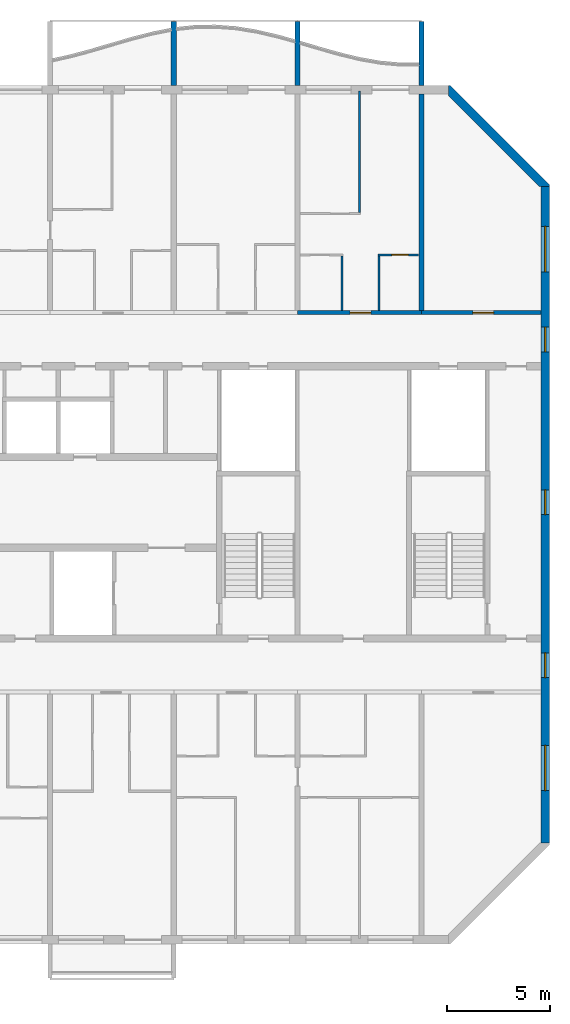
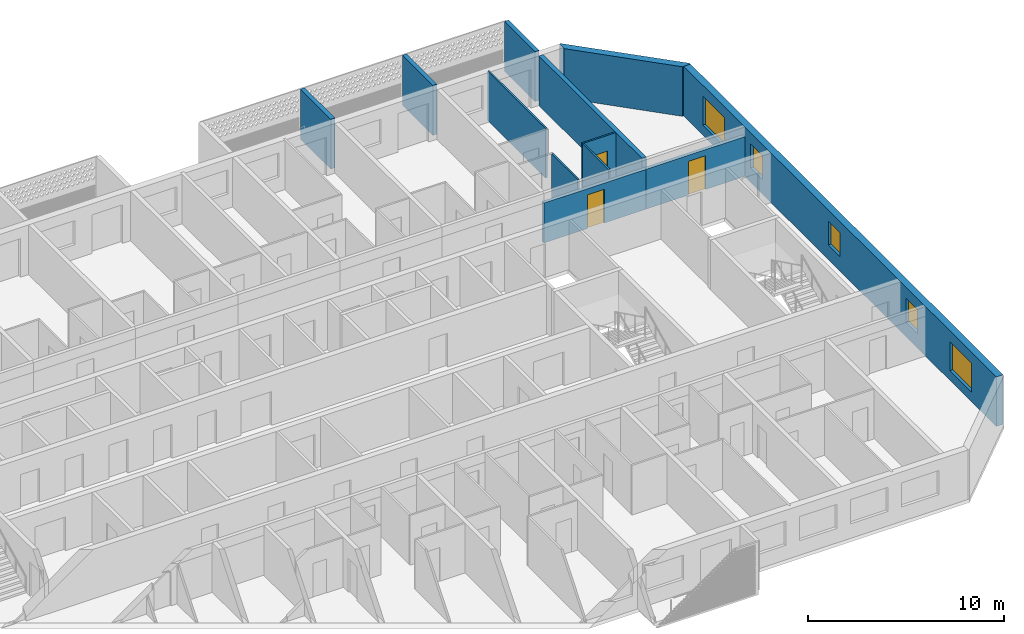
# One storey, part 11 of 29: 12 walls, 5 windows, 3 doors, 8 openings.
"""IFC4 building model written with IfcOpenShell, lengths in metres."""

from ifc_helpers import new_model, si_unit, direction, frame, frame_2d, origin, place, context, subcontext, project, spatial, polyline, rectangle, outline, extrude, source, transform, mapped, material, layer, layer_set, type_object, element, fill, save


model = new_model("IFC4")

# Units and contexts
model_context = context("Model", 3, precision=1e-05, world=origin(), true_north=direction((0.0, 1.0)))
body_context = subcontext(model_context, "Body", "Model", "MODEL_VIEW")
ifc_project = project(units=[si_unit("LENGTHUNIT", "METRE"), si_unit("AREAUNIT", "SQUARE_METRE"), si_unit("VOLUMEUNIT", "CUBIC_METRE"), si_unit("PLANEANGLEUNIT", "RADIAN"), si_unit("MASSUNIT", "GRAM", prefix="KILO")], contexts=[model_context])

# Site, building, storey
site_placement = place(None, origin())
site = spatial("IfcSite", under=ifc_project, at=site_placement, CompositionType="ELEMENT")
building_placement = place(site_placement, origin())
building = spatial("IfcBuilding", under=site, at=building_placement, Name="Poui Terraces", CompositionType="ELEMENT")
storey_placement = place(building_placement, frame((0.0, 0.0, 234.60009765625)))
storey = spatial("IfcBuildingStorey", under=building, at=storey_placement, Name="L65", CompositionType="ELEMENT", Elevation=234.60009765625)

# Wall, opening, door
ifc_material_1 = material(Name="Concrete 50 MPa", Category="concrete")
ifc_layer_1 = layer(ifc_material_1, 0.199951171875)
ifc_layer_set_1 = layer_set([ifc_layer_1], Name="Concrete 50 MPa")
wall_type_1 = type_object("IfcWallType", Name="CORRIDOR WALL 200 50MPa", PredefinedType="SHEAR", material=ifc_layer_set_1)
wall_1_placement = place(storey_placement, frame((72.0, 30.39990234375, 0.0), z_axis=(0.0, 0.0, 1.0), x_axis=(1.0, 0.0, 0.0)))
wall_1 = element("IfcWall", 1, at=wall_1_placement, inside=storey, type_object=wall_type_1, Name="CORRIDOR WALL LINE E BAY 10", PredefinedType="SHEAR", context=body_context, shape_type="SweptSolid", body=[
    extrude(rectangle(XDim=6.0, YDim=0.199951171875, at=frame_2d((3.0, 0.0))), origin(), (0.0, 0.0, 1.0), 2.47998046875),
])
opening_1_placement = place(wall_1_placement, frame((2.550048828125, 0.0, 0.0)))
opening_1 = element("IfcOpeningElement", 2, at=opening_1_placement, cuts=wall_1, Name="Opening FD30S", PredefinedType="OPENING", context=body_context, shape_type="SweptSolid", body=[
    extrude(rectangle(XDim=1.0, YDim=2.10009765625, at=frame_2d((0.5, 1.050048828125))), frame((0.0, 0.10986328125, 0.0), z_axis=(0.0, -1.0, 0.0), x_axis=(1.0, 0.0, 0.0)), (0.0, 0.0, 1.0), 0.219970703125),
])
ifc_material_2 = material(Name="Steel fire door", Category="steel")
door_type_1 = type_object("IfcDoorType", Name="FLAT ENTRANCE DOOR 1000 X 2100", OperationType="NOTDEFINED", PredefinedType="DOOR", material=ifc_material_2)
door_1_placement = place(opening_1_placement, origin())
door_1 = element("IfcDoor", 3, at=door_1_placement, inside=storey, type_object=door_type_1, Name="FLAT ENTRANCE DOOR 060", OperationType="SINGLE_SWING_RIGHT", OverallHeight=2.10009765625, OverallWidth=1.0, PredefinedType="DOOR", context=body_context, shape_type="SweptSolid", body=[
    extrude(rectangle(XDim=1.0, YDim=2.10009765625, at=frame_2d((0.5, 1.050048828125))), frame((0.0, 0.02490234375, 0.0), z_axis=(0.0, -1.0, 0.0), x_axis=(1.0, 0.0, 0.0)), (0.0, 0.0, 1.0), 0.050048828125),
])
fill(opening_1, door_1)

wall_2_placement = place(storey_placement, frame((78.0, 30.39990234375, 0.0), z_axis=(0.0, 0.0, 1.0), x_axis=(1.0, 0.0, 0.0)))
wall_2 = element("IfcWall", 4, at=wall_2_placement, inside=storey, type_object=wall_type_1, Name="CORRIDOR WALL LINE E BAY 11", PredefinedType="SHEAR", context=body_context, shape_type="SweptSolid", body=[
    extrude(rectangle(XDim=5.800048828125, YDim=0.199951171875, at=frame_2d((2.89990234375, 0.0))), origin(), (0.0, 0.0, 1.0), 2.47998046875),
])
opening_2_placement = place(wall_2_placement, frame((2.5, 0.0, 0.0)))
opening_2 = element("IfcOpeningElement", 5, at=opening_2_placement, cuts=wall_2, Name="Opening D100", PredefinedType="OPENING", context=body_context, shape_type="SweptSolid", body=[
    extrude(rectangle(XDim=1.0, YDim=2.10009765625, at=frame_2d((0.5, 1.050048828125))), frame((0.0, 0.10986328125, 0.0), z_axis=(0.0, -1.0, 0.0), x_axis=(1.0, 0.0, 0.0)), (0.0, 0.0, 1.0), 0.219970703125),
])
ifc_material_3 = material(Name="Solid core timber door", Category="wood")
door_type_2 = type_object("IfcDoorType", Name="ACCESSIBLE INTERNAL DOOR 1000 X 2100", OperationType="NOTDEFINED", PredefinedType="DOOR", material=ifc_material_3)
door_2_placement = place(opening_2_placement, origin())
door_2 = element("IfcDoor", 6, at=door_2_placement, inside=storey, type_object=door_type_2, Name="ACCESSIBLE INTERNAL DOOR 062", OperationType="SINGLE_SWING_LEFT", OverallHeight=2.10009765625, OverallWidth=1.0, PredefinedType="DOOR", context=body_context, shape_type="SweptSolid", body=[
    extrude(rectangle(XDim=1.0, YDim=2.10009765625, at=frame_2d((0.5, 1.050048828125))), frame((0.0, 0.02490234375, 0.0), z_axis=(0.0, -1.0, 0.0), x_axis=(1.0, 0.0, 0.0)), (0.0, 0.0, 1.0), 0.050048828125),
])
fill(opening_2, door_2)

# Wall
ifc_layer_2 = layer(ifc_material_1, 0.25)
ifc_layer_set_2 = layer_set([ifc_layer_2], Name="Concrete 50 MPa")
wall_type_2 = type_object("IfcWallType", Name="CROSS WALL 250 50MPa", PredefinedType="SHEAR", material=ifc_layer_set_2)
wall_3_placement = place(storey_placement, frame((78.0, 30.5, 0.0), z_axis=(0.0, 0.0, 1.0), x_axis=(0.0, 1.0, 0.0)))
element("IfcWall", 7, at=wall_3_placement, inside=storey, type_object=wall_type_2, Name="CROSS WALL LINE 14 NORTH", PredefinedType="SHEAR", context=body_context, shape_type="SweptSolid", body=[
    extrude(rectangle(XDim=10.5, YDim=0.25, at=frame_2d((5.25, 0.0))), origin(), (0.0, 0.0, 1.0), 3.079833984375),
])

# Wall, openings, windows
ifc_layer_3 = layer(ifc_material_1, 0.39990234375)
ifc_layer_set_3 = layer_set([ifc_layer_3], Name="Concrete 50 MPa")
wall_type_3 = type_object("IfcWallType", Name="END WALL 400 50MPa", PredefinedType="SHEAR", material=ifc_layer_set_3)
wall_4_placement = place(storey_placement, frame((84.0, 4.682861328125, 0.0), z_axis=(0.0, 0.0, 1.0), x_axis=(0.0, 1.0, 0.0)))
wall_4 = element("IfcWall", 8, at=wall_4_placement, inside=storey, type_object=wall_type_3, Name="END WALL EAST", PredefinedType="SHEAR", context=body_context, shape_type="SweptSolid", body=[
    extrude(rectangle(XDim=31.834228515625, YDim=0.39990234375, at=frame_2d((15.9169921875, 0.0))), origin(), (0.0, 0.0, 1.0), 3.079833984375),
])
opening_3_placement = place(wall_4_placement, frame((23.817138671875, 0.0, 0.89990234375)))
opening_3 = element("IfcOpeningElement", 9, at=opening_3_placement, cuts=wall_4, Name="Opening W2", PredefinedType="OPENING", context=body_context, shape_type="SweptSolid", body=[
    extrude(rectangle(XDim=1.199951171875, YDim=1.5, at=frame_2d((0.60009765625, 0.75))), frame((0.0, 0.2099609375, 0.0), z_axis=(0.0, -1.0, 0.0), x_axis=(1.0, 0.0, 0.0)), (0.0, 0.0, 1.0), 0.419921875),
])
opening_4_placement = place(wall_4_placement, frame((8.01708984375, 0.0, 0.89990234375)))
opening_4 = element("IfcOpeningElement", 10, at=opening_4_placement, cuts=wall_4, Name="Opening W2", PredefinedType="OPENING", context=body_context, shape_type="SweptSolid", body=[
    extrude(rectangle(XDim=1.199951171875, YDim=1.5, at=frame_2d((0.60009765625, 0.75))), frame((0.0, 0.2099609375, 0.0), z_axis=(0.0, -1.0, 0.0), x_axis=(1.0, 0.0, 0.0)), (0.0, 0.0, 1.0), 0.419921875),
])
opening_5_placement = place(wall_4_placement, frame((27.693603515625, 0.0, 0.60009765625)))
opening_5 = element("IfcOpeningElement", 11, at=opening_5_placement, cuts=wall_4, Name="Opening W3", PredefinedType="OPENING", context=body_context, shape_type="SweptSolid", body=[
    extrude(rectangle(XDim=2.199951171875, YDim=1.800048828125, at=frame_2d((1.10009765625, 0.89990234375))), frame((0.0, 0.2099609375, 0.0), z_axis=(0.0, -1.0, 0.0), x_axis=(1.0, 0.0, 0.0)), (0.0, 0.0, 1.0), 0.419921875),
])
opening_6_placement = place(wall_4_placement, frame((2.541015625, 0.0, 0.60009765625)))
opening_6 = element("IfcOpeningElement", 12, at=opening_6_placement, cuts=wall_4, Name="Opening W3", PredefinedType="OPENING", context=body_context, shape_type="SweptSolid", body=[
    extrude(rectangle(XDim=2.199951171875, YDim=1.800048828125, at=frame_2d((1.10009765625, 0.89990234375))), frame((0.0, 0.2099609375, 0.0), z_axis=(0.0, -1.0, 0.0), x_axis=(1.0, 0.0, 0.0)), (0.0, 0.0, 1.0), 0.419921875),
])
opening_7_placement = place(wall_4_placement, frame((15.917236328125, 0.0, 0.89990234375)))
opening_7 = element("IfcOpeningElement", 13, at=opening_7_placement, cuts=wall_4, Name="Opening W2", PredefinedType="OPENING", context=body_context, shape_type="SweptSolid", body=[
    extrude(rectangle(XDim=1.199951171875, YDim=1.5, at=frame_2d((0.60009765625, 0.75))), frame((0.0, 0.2099609375, 0.0), z_axis=(0.0, -1.0, 0.0), x_axis=(1.0, 0.0, 0.0)), (0.0, 0.0, 1.0), 0.419921875),
])
ifc_material_4 = material(Name="Clear glass in aluminium frame", Category="aluminium")
window_type_1 = type_object("IfcWindowType", Name="WINDOW 1200X1500", PartitioningType="SINGLE_PANEL", PredefinedType="WINDOW", material=ifc_material_4)
window_1_placement = place(opening_3_placement, origin())
window_1 = element("IfcWindow", 14, at=window_1_placement, inside=storey, type_object=window_type_1, Name="W2 WINDOW", OverallHeight=1.5, OverallWidth=1.199951171875, PartitioningType="SINGLE_PANEL", PredefinedType="WINDOW", context=body_context, shape_type="SweptSolid", body=[
    extrude(rectangle(XDim=1.199951171875, YDim=1.5, at=frame_2d((0.60009765625, 0.75))), frame((0.0, 0.030029296875, 0.0), z_axis=(0.0, -1.0, 0.0), x_axis=(1.0, 0.0, 0.0)), (0.0, 0.0, 1.0), 0.06005859375),
])
fill(opening_3, window_1)
window_2_placement = place(opening_4_placement, origin())
window_2 = element("IfcWindow", 15, at=window_2_placement, inside=storey, type_object=window_type_1, Name="W2 WINDOW", OverallHeight=1.5, OverallWidth=1.199951171875, PartitioningType="SINGLE_PANEL", PredefinedType="WINDOW", context=body_context, shape_type="SweptSolid", body=[
    extrude(rectangle(XDim=1.199951171875, YDim=1.5, at=frame_2d((0.60009765625, 0.75))), frame((0.0, 0.030029296875, 0.0), z_axis=(0.0, -1.0, 0.0), x_axis=(1.0, 0.0, 0.0)), (0.0, 0.0, 1.0), 0.06005859375),
])
fill(opening_4, window_2)
window_3_placement = place(opening_7_placement, origin())
window_3 = element("IfcWindow", 16, at=window_3_placement, inside=storey, type_object=window_type_1, Name="W2 WINDOW", OverallHeight=1.5, OverallWidth=1.199951171875, PartitioningType="SINGLE_PANEL", PredefinedType="WINDOW", context=body_context, shape_type="SweptSolid", body=[
    extrude(rectangle(XDim=1.199951171875, YDim=1.5, at=frame_2d((0.60009765625, 0.75))), frame((0.0, 0.030029296875, 0.0), z_axis=(0.0, -1.0, 0.0), x_axis=(1.0, 0.0, 0.0)), (0.0, 0.0, 1.0), 0.06005859375),
])
fill(opening_7, window_3)
window_type_2 = type_object("IfcWindowType", Name="WINDOW 2200X1800", PartitioningType="DOUBLE_PANEL_HORIZONTAL", PredefinedType="WINDOW", material=ifc_material_4)
window_4_placement = place(opening_5_placement, origin())
window_4 = element("IfcWindow", 17, at=window_4_placement, inside=storey, type_object=window_type_2, Name="W3 WINDOW", OverallHeight=1.800048828125, OverallWidth=2.199951171875, PartitioningType="DOUBLE_PANEL_HORIZONTAL", PredefinedType="WINDOW", context=body_context, shape_type="SweptSolid", body=[
    extrude(rectangle(XDim=2.199951171875, YDim=1.800048828125, at=frame_2d((1.10009765625, 0.89990234375))), frame((0.0, 0.030029296875, 0.0), z_axis=(0.0, -1.0, 0.0), x_axis=(1.0, 0.0, 0.0)), (0.0, 0.0, 1.0), 0.06005859375),
])
fill(opening_5, window_4)
window_5_placement = place(opening_6_placement, origin())
window_5 = element("IfcWindow", 18, at=window_5_placement, inside=storey, type_object=window_type_2, Name="W3 WINDOW", OverallHeight=1.800048828125, OverallWidth=2.199951171875, PartitioningType="DOUBLE_PANEL_HORIZONTAL", PredefinedType="WINDOW", context=body_context, shape_type="SweptSolid", body=[
    extrude(rectangle(XDim=2.199951171875, YDim=1.800048828125, at=frame_2d((1.10009765625, 0.89990234375))), frame((0.0, 0.030029296875, 0.0), z_axis=(0.0, -1.0, 0.0), x_axis=(1.0, 0.0, 0.0)), (0.0, 0.0, 1.0), 0.06005859375),
])
fill(opening_6, window_5)

# Wall, opening, door
ifc_material_5 = material(Name="Plasterboard partition")
ifc_layer_4 = layer(ifc_material_5, 0.10009765625)
ifc_layer_set_4 = layer_set([ifc_layer_4], Name="Plasterboard partition")
wall_type_4 = type_object("IfcWallType", Name="FLAT PARTITION 100", PredefinedType="PARTITIONING", material=ifc_layer_set_4)
wall_5_placement = place(storey_placement, frame((75.89990234375, 33.199951171875, 0.0), z_axis=(0.0, 0.0, 1.0), x_axis=(1.0, 0.0, 0.0)))
wall_5 = element("IfcWall", 19, at=wall_5_placement, inside=storey, type_object=wall_type_4, Name="FLAT PARTITION 100", PredefinedType="PARTITIONING", context=body_context, shape_type="SweptSolid", body=[
    extrude(rectangle(XDim=1.965087890625, YDim=0.10009765625, at=frame_2d((0.982421875, 0.0))), origin(), (0.0, 0.0, 1.0), 3.079833984375),
])
opening_8_placement = place(wall_5_placement, frame((0.675048828125, 0.0, 0.0)))
opening_8 = element("IfcOpeningElement", 20, at=opening_8_placement, cuts=wall_5, Name="Opening D80", PredefinedType="OPENING", context=body_context, shape_type="SweptSolid", body=[
    extrude(rectangle(XDim=0.800048828125, YDim=2.10009765625, at=frame_2d((0.39990234375, 1.050048828125))), frame((0.0, 0.06005859375, 0.0), z_axis=(0.0, -1.0, 0.0), x_axis=(1.0, 0.0, 0.0)), (0.0, 0.0, 1.0), 0.1201171875),
])
door_type_3 = type_object("IfcDoorType", Name="BATHROOM, LAUNDRY AND STORE DOOR 800 X 2100", OperationType="NOTDEFINED", PredefinedType="DOOR", material=ifc_material_3)
door_3_placement = place(opening_8_placement, frame((0.800048828125, 0.0, 0.0), z_axis=(0.0, 0.0, 1.0), x_axis=(-1.0, 0.0, 0.0)))
door_3 = element("IfcDoor", 21, at=door_3_placement, inside=storey, type_object=door_type_3, Name="BATHROOM, LAUNDRY AND STORE DOOR 061", OperationType="SINGLE_SWING_RIGHT", OverallHeight=2.10009765625, OverallWidth=0.800048828125, PredefinedType="DOOR", context=body_context, shape_type="SweptSolid", body=[
    extrude(rectangle(XDim=0.800048828125, YDim=2.10009765625, at=frame_2d((0.39990234375, 1.050048828125))), frame((0.0, 0.02490234375, 0.0), z_axis=(0.0, -1.0, 0.0), x_axis=(1.0, 0.0, 0.0)), (0.0, 0.0, 1.0), 0.050048828125),
])
fill(opening_8, door_3)

# Walls
wall_6_placement = place(storey_placement, frame((74.14990234375, 30.510009765625, 0.0), z_axis=(0.0, 0.0, 1.0), x_axis=(0.0, 1.0, 0.0)))
element("IfcWall", 22, at=wall_6_placement, inside=storey, type_object=wall_type_4, Name="FLAT PARTITION 100", PredefinedType="PARTITIONING", context=body_context, shape_type="SweptSolid", body=[
    extrude(rectangle(XDim=2.639892578125, YDim=0.10009765625, at=frame_2d((1.31982421875, 0.0))), origin(), (0.0, 0.0, 1.0), 3.079833984375),
])
wall_7_placement = place(storey_placement, frame((75.0, 35.25, 0.0), z_axis=(0.0, 0.0, 1.0), x_axis=(0.0, 1.0, 0.0)))
element("IfcWall", 23, at=wall_7_placement, inside=storey, type_object=wall_type_4, Name="FLAT PARTITION 100", PredefinedType="PARTITIONING", context=body_context, shape_type="SweptSolid", body=[
    extrude(rectangle(XDim=5.889892578125, YDim=0.10009765625, at=frame_2d((2.94482421875, 0.0))), origin(), (0.0, 0.0, 1.0), 3.079833984375),
])
wall_8_placement = place(storey_placement, frame((75.949951171875, 30.510009765625, 0.0), z_axis=(0.0, 0.0, 1.0), x_axis=(0.0, 1.0, 0.0)))
element("IfcWall", 24, at=wall_8_placement, inside=storey, type_object=wall_type_4, Name="FLAT PARTITION 100", PredefinedType="PARTITIONING", context=body_context, shape_type="SweptSolid", body=[
    extrude(rectangle(XDim=2.639892578125, YDim=0.10009765625, at=frame_2d((1.31982421875, 0.0))), origin(), (0.0, 0.0, 1.0), 3.079833984375),
])
ifc_material_6 = material(Name="Precast concrete 40 MPa", Category="concrete")
ifc_layer_5 = layer(ifc_material_6, 0.39990234375)
ifc_layer_set_5 = layer_set([ifc_layer_5], Name="Precast concrete 40 MPa")
wall_type_5 = type_object("IfcWallType", Name="TERRACOTTA CLAD CHAMFER WALL 400", PredefinedType="STANDARD", material=ifc_layer_set_5)
wall_9_placement = place(storey_placement, origin())
element("IfcWall", 25, at=wall_9_placement, inside=storey, type_object=wall_type_5, Name="CHAMFER WALL CH03", PredefinedType="STANDARD", context=body_context, shape_type="SweptSolid", body=[
    extrude(outline(polyline([(84.199951171875, 36.51708984375), (84.199951171875, 36.60009765625), (79.39990234375, 41.39990234375), (79.317138671875, 41.39990234375), (79.317138671875, 40.917236328125), (83.71728515625, 36.51708984375), (84.199951171875, 36.51708984375)])), origin(), (0.0, 0.0, 1.0), 3.079833984375),
])
ifc_layer_6 = layer(ifc_material_6, 0.25)
ifc_layer_set_6 = layer_set([ifc_layer_6], Name="Precast concrete 40 MPa")
wall_type_6 = type_object("IfcWallType", Name="BALCONY FIN 250", PredefinedType="STANDARD", material=ifc_layer_set_6)
shared_shape = source(origin(), body_context, "Body", "SweptSolid", [
    extrude(outline(polyline([(0.0, 0.0), (0.25, 0.0), (0.25, 3.10009765625), (0.0, 3.10009765625), (0.0, 0.0)])), origin(), (0.0, 0.0, 1.0), 3.099853515625),
])
for number, where, name in (
    (26, (65.875, 41.39990234375, 0.0), "BALCONY FIN"),
    (27, (71.875, 41.39990234375, 0.0), "BALCONY FIN"),
    (28, (77.875, 41.39990234375, 0.0), "BALCONY FIN"),
):
    element("IfcWall", number, at=place(storey_placement, frame(where)), inside=storey, type_object=wall_type_6, Name=name, PredefinedType="STANDARD", context=body_context, shape_type="MappedRepresentation", body=[
        mapped(shared_shape, transform((0.0, 0.0, 0.0))),
    ])

save(model, "model.ifc")
